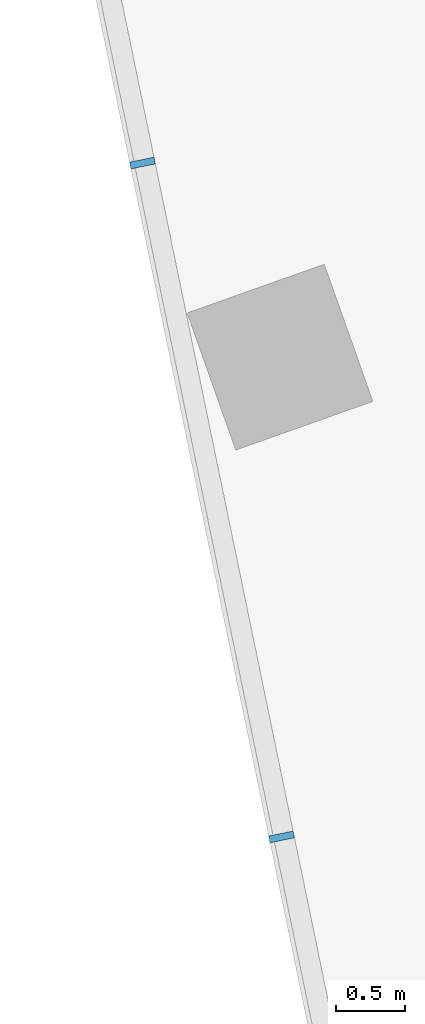
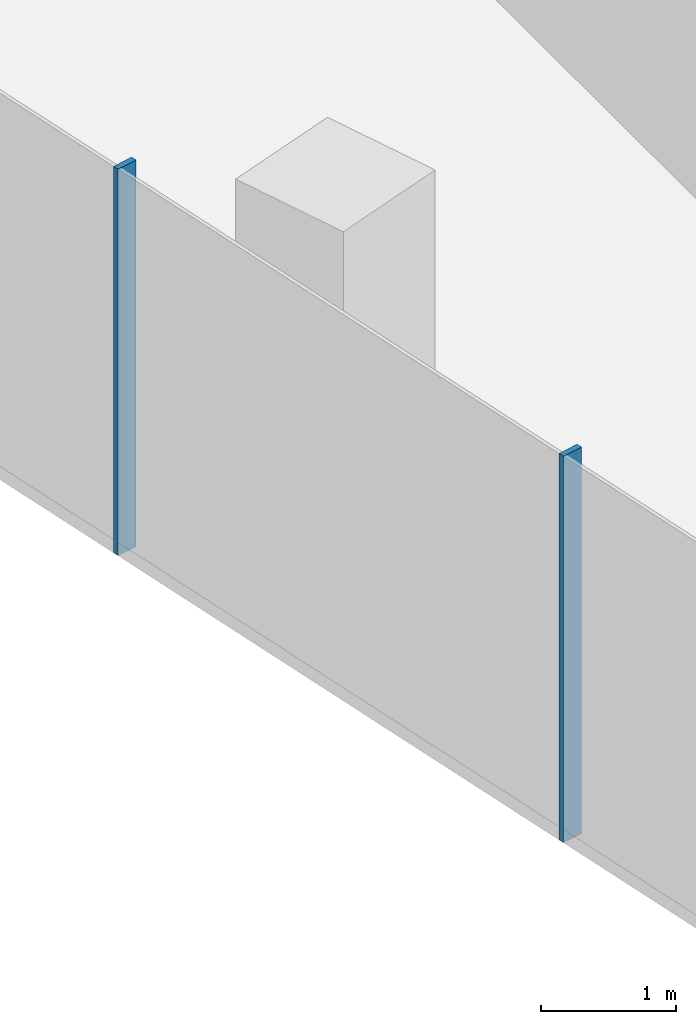
# One storey, part 3 of 24: 2 members, 1 element without a shape of its own.
"""IFC4 building model written with IfcOpenShell, lengths in metres."""

from ifc_helpers import new_model, si_unit, direction, frame, origin, origin_2d, place, context, subcontext, project, spatial, rectangle, extrude, material, material_profile, profile_set, type_object, element, aggregate, save


model = new_model("IFC4")

# Units and contexts
model_context = context("Model", 3, precision=1e-05, world=origin(), true_north=direction((0.0, 1.0)))
body_context = subcontext(model_context, "Body", "Model", "MODEL_VIEW")
ifc_project = project(units=[si_unit("LENGTHUNIT", "METRE"), si_unit("AREAUNIT", "SQUARE_METRE"), si_unit("VOLUMEUNIT", "CUBIC_METRE"), si_unit("PLANEANGLEUNIT", "RADIAN"), si_unit("MASSUNIT", "GRAM", prefix="KILO")], contexts=[model_context])

# Site, building, storey
site_placement = place(None, origin())
site = spatial("IfcSite", under=ifc_project, at=site_placement, CompositionType="ELEMENT")
building_placement = place(site_placement, origin())
building = spatial("IfcBuilding", under=site, at=building_placement, Name="Orlundy Tower", CompositionType="ELEMENT")
storey_placement = place(building_placement, frame((0.0, 0.0, 239.0)))
storey = spatial("IfcBuildingStorey", under=building, at=storey_placement, Name="L63", CompositionType="ELEMENT", Elevation=239.0)

# Curtain wall, members
ifc_material_1 = material(Name="Aluminium bronze anodised", Category="aluminium")
curtain_wall_type = type_object("IfcCurtainWallType", Name="CW1 wall", PredefinedType="NOTDEFINED", material=ifc_material_1)
curtain_wall_placement = place(storey_placement, origin())
curtain_wall = element("IfcCurtainWall", 1, at=curtain_wall_placement, inside=storey, type_object=curtain_wall_type, Name="CW1 run 014", PredefinedType="NOTDEFINED")
ifc_material_2 = material(Name="Aluminium bronze anodised", Category="aluminium")
ifc_material_profile = material_profile(ifc_material_2, rectangle(XDim=0.179931640625, YDim=0.050048828125, at=origin_2d()), Name="CW1 mullion 50x180")
ifc_profile_set = profile_set([ifc_material_profile], Name="Aluminium bronze anodised")
member_type = type_object("IfcMemberType", Name="CW1 mullion 50x180", PredefinedType="MULLION", material=ifc_profile_set)
member_1_placement = place(storey_placement, frame((-27.96044921875, -13.386474609375, -0.39990234375), z_axis=(0.0, 0.0, 1.0), x_axis=(-0.979337428215, -0.202233038095, 0.0)))
member_1 = element("IfcMember", 2, at=member_1_placement, type_object=member_type, Name="CW1 mullion 23", PredefinedType="MULLION", context=body_context, shape_type="SweptSolid", body=[
    extrude(rectangle(XDim=0.179931640625, YDim=0.050048828125, at=origin_2d()), origin(), (0.0, 0.0, 1.0), 3.5),
])
member_2_placement = place(storey_placement, frame((-28.965576171875, -8.5185546875, -0.39990234375), z_axis=(0.0, 0.0, 1.0), x_axis=(-0.979337428215, -0.202233038095, 0.0)))
member_2 = element("IfcMember", 3, at=member_2_placement, type_object=member_type, Name="CW1 mullion 24", PredefinedType="MULLION", context=body_context, shape_type="SweptSolid", body=[
    extrude(rectangle(XDim=0.179931640625, YDim=0.050048828125, at=origin_2d()), origin(), (0.0, 0.0, 1.0), 3.5),
])
aggregate(curtain_wall, [member_1, member_2])

save(model, "model.ifc")
